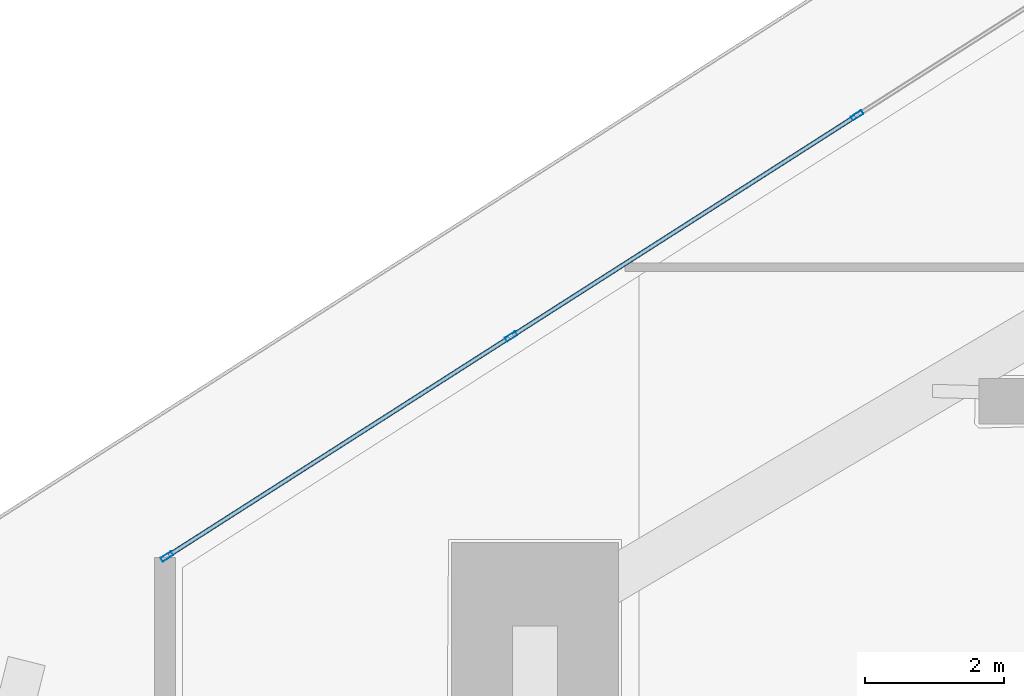
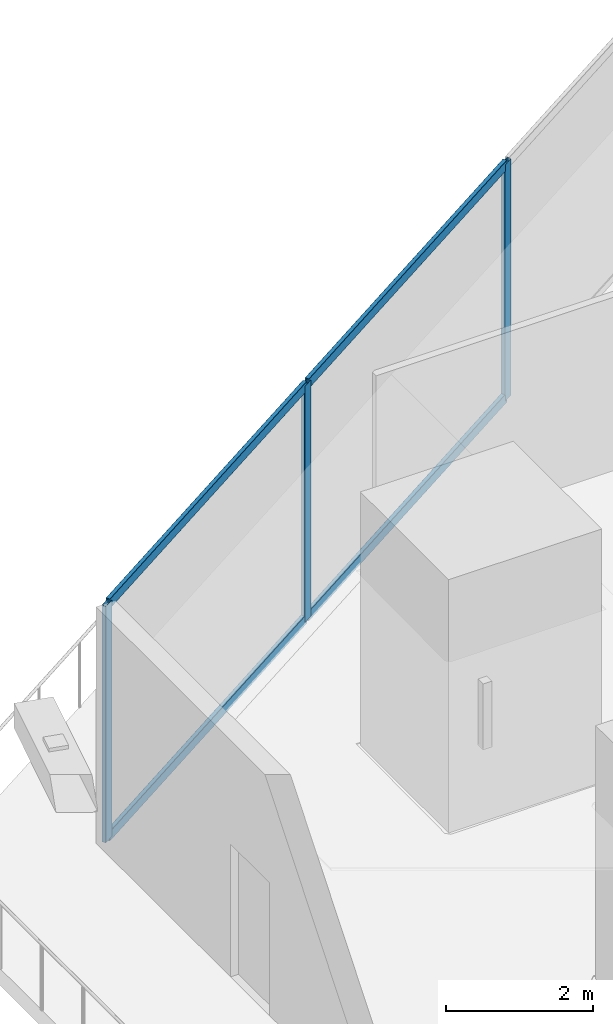
# One storey, part 12 of 44: 7 members, 1 element without a shape of its own.
"""IFC4 building model written with IfcOpenShell, lengths in metres."""

import ifcopenshell
import ifcopenshell.guid

model = None  # the IFC model being written
_history = None  # IfcOwnerHistory: only IFC2X3 demands one
_inside = {}  # id of a spatial element -> (the spatial element, [elements in it])
_under = {}  # id of a project, library or spatial element -> (it, [spatial elements below it])
_declared = {}  # id of a project -> (the project, [libraries it declares])
_typed = {}  # id of a type object -> (the type object, [elements of that type])
_made_of = {}  # id of a material, layer set ... -> (it, [elements and type objects made of it])


def new_model(schema):
    """Start an empty IFC model of exactly this schema.

    Asked for "IFC4X3", IfcOpenShell would pick the latest addendum, in which some entities
    have other attributes; the version numbers below select the first issue.
    IFC2X3 requires an IfcOwnerHistory on every rooted entity: one is made here for all.
    """
    global model, _history
    if schema == "IFC4X3":
        model = ifcopenshell.file(schema_version=(4, 3, 0, 0))
    else:
        model = ifcopenshell.file(schema=schema)
    _inside.clear()
    _under.clear()
    _declared.clear()
    _typed.clear()
    _made_of.clear()
    _history = None
    if model.schema == "IFC2X3":
        org = make("IfcOrganization", Name="unknown")
        user = make(
            "IfcPersonAndOrganization",
            ThePerson=make("IfcPerson", FamilyName="unknown"),
            TheOrganization=org,
        )
        app = make(
            "IfcApplication",
            ApplicationDeveloper=org,
            Version="unknown",
            ApplicationFullName="unknown",
            ApplicationIdentifier="unknown",
        )
        _history = make(
            "IfcOwnerHistory",
            OwningUser=user,
            OwningApplication=app,
            ChangeAction="ADDED",
            CreationDate=0,
        )
    return model


def make(cls, **values):
    """One entity of the class cls with the attributes given. An attribute that is None is left unset."""
    return model.create_entity(
        cls, **{name: value for name, value in values.items() if value is not None}
    )


def rooted(cls, **values):
    """An entity with a GlobalId (a new one), such as an element, a storey or a relation."""
    return make(cls, GlobalId=ifcopenshell.guid.new(), OwnerHistory=_history, **values)


def si_unit(unit_type, name, prefix=None):
    """IfcSIUnit, for example si_unit("LENGTHUNIT", "METRE", prefix="MILLI")."""
    return make("IfcSIUnit", UnitType=unit_type, Prefix=prefix, Name=name)


def assignment(units):
    """IfcUnitAssignment: the units of a project."""
    return None if units is None else make("IfcUnitAssignment", Units=units)


def point(xyz):
    """IfcCartesianPoint."""
    return None if xyz is None else make("IfcCartesianPoint", Coordinates=xyz)


def direction(xyz):
    """IfcDirection."""
    return None if xyz is None else make("IfcDirection", DirectionRatios=xyz)


def frame(location, z_axis=None, x_axis=None):
    """IfcAxis2Placement3D, a coordinate frame: its origin and axes. An axis left out is left unset."""
    return make(
        "IfcAxis2Placement3D",
        Location=point(location),
        Axis=direction(z_axis),
        RefDirection=direction(x_axis),
    )


def frame_2d(location, x_axis=None):
    """IfcAxis2Placement2D, a coordinate frame in the plane: its origin and x axis."""
    return make(
        "IfcAxis2Placement2D", Location=point(location), RefDirection=direction(x_axis)
    )


def origin():
    """The frame at (0, 0, 0) with its axes left unset."""
    return frame((0.0, 0.0, 0.0))


def origin_2d():
    """The frame at (0, 0) in the plane with its x axis left unset."""
    return frame_2d((0.0, 0.0))


def place(relative_to, where):
    """IfcLocalPlacement: puts the frame where relative to a parent placement (None: the world)."""
    return make(
        "IfcLocalPlacement", PlacementRelTo=relative_to, RelativePlacement=where
    )


def context(
    kind, dimensions, precision=None, world=None, true_north=None, identifier=None
):
    """IfcGeometricRepresentationContext, for example the 3D "Model" context."""
    return make(
        "IfcGeometricRepresentationContext",
        ContextIdentifier=identifier,
        ContextType=kind,
        CoordinateSpaceDimension=dimensions,
        Precision=precision,
        WorldCoordinateSystem=world,
        TrueNorth=true_north,
    )


def subcontext(parent, identifier, kind, view, scale=None):
    """IfcGeometricRepresentationSubContext, for example "Body" below "Model"."""
    return make(
        "IfcGeometricRepresentationSubContext",
        ContextIdentifier=identifier,
        ContextType=kind,
        ParentContext=parent,
        TargetScale=scale,
        TargetView=view,
    )


def project(units=None, contexts=None):
    """IfcProject with its units and contexts."""
    return rooted(
        "IfcProject",
        Name="project",
        RepresentationContexts=contexts,
        UnitsInContext=assignment(units),
    )


def spatial(cls, under=None, at=None, **own):
    """A site, building, storey or space (cls), placed at a placement, below another one or the project."""
    s = rooted(cls, ObjectPlacement=at, **own)
    if under is not None:
        _under.setdefault(under.id(), (under, []))[1].append(s)
    return s


def profile(cls, at=None, kind="AREA", **sizes):
    """A parametric profile (cls). Its sizes go by their IFC names, for example OverallWidth=200.0."""
    return make(cls, ProfileType=kind, Position=at, **sizes)


def hollow_rectangle(**sizes):
    """IfcRectangleHollowProfileDef."""
    return profile("IfcRectangleHollowProfileDef", **sizes)


def extrude(swept, where, along, depth):
    """IfcExtrudedAreaSolid: the profile swept, set in the frame where, extruded along a direction by depth."""
    return make(
        "IfcExtrudedAreaSolid",
        SweptArea=swept,
        Position=where,
        ExtrudedDirection=direction(along),
        Depth=depth,
    )


def shape(context_of_items, identifier, shape_type, items):
    """IfcShapeRepresentation: the items that make up one representation, for example the "Body"."""
    return make(
        "IfcShapeRepresentation",
        ContextOfItems=context_of_items,
        RepresentationIdentifier=identifier,
        RepresentationType=shape_type,
        Items=items,
    )


def material(Name=None, Category=None):
    """IfcMaterial."""
    return make("IfcMaterial", Name=Name, Category=Category)


def layer(
    of_material, thickness, ventilated=None, Name=None, Category=None, Priority=None
):
    """IfcMaterialLayer: one layer of a wall or slab, of a material (None: an air gap)."""
    return make(
        "IfcMaterialLayer",
        Material=of_material,
        LayerThickness=thickness,
        IsVentilated=ventilated,
        Name=Name,
        Category=Category,
        Priority=Priority,
    )


def layer_set(layers, Name=None):
    """IfcMaterialLayerSet."""
    return make("IfcMaterialLayerSet", MaterialLayers=layers, LayerSetName=Name)


def material_profile(
    of_material, cross_section, Name=None, Category=None, Priority=None
):
    """IfcMaterialProfile: a cross section and its material."""
    return make(
        "IfcMaterialProfile",
        Name=Name,
        Material=of_material,
        Profile=cross_section,
        Priority=Priority,
        Category=Category,
    )


def profile_set(profiles, Name=None, composite=None):
    """IfcMaterialProfileSet."""
    return make(
        "IfcMaterialProfileSet",
        Name=Name,
        MaterialProfiles=profiles,
        CompositeProfile=composite,
    )


def made_of(thing, what):
    """Note that an element or type object is made of a material, layer set ...; save() writes the relation."""
    if what is not None:
        _made_of.setdefault(what.id(), (what, []))[1].append(thing)
    return thing


def type_object(cls, material=None, **own):
    """A type object (cls), such as IfcWallType, which elements share."""
    return made_of(rooted(cls, **own), material)


def element(
    cls,
    number,
    at=None,
    inside=None,
    cuts=None,
    type_object=None,
    material=None,
    context=None,
    identifier="Body",
    shape_type=None,
    held_by="IfcProductDefinitionShape",
    body=None,
    shapes=None,
    **own,
):
    """One element of the class cls, such as IfcWall. Its Tag is "e" and its number.

    at: its placement. inside: the storey or other place that contains it. cuts: it is an
    opening in that element (IfcRelVoidsElement). A single representation is given by context,
    identifier, shape_type and body (its items); several are given by shapes. held_by: the class
    of the entity that holds the representations. save() writes the other relations.
    """
    e = rooted(cls, Tag="e%d" % number, ObjectPlacement=at, **own)
    if body is not None:
        shapes = [shape(context, identifier, shape_type, body)]
    if shapes is not None:
        e.Representation = make(held_by, Representations=shapes)
    if inside is not None:
        _inside.setdefault(inside.id(), (inside, []))[1].append(e)
    if cuts is not None:
        rooted(
            "IfcRelVoidsElement", RelatingBuildingElement=cuts, RelatedOpeningElement=e
        )
    if type_object is not None:
        _typed.setdefault(type_object.id(), (type_object, []))[1].append(e)
    return made_of(e, material)


def aggregate(whole, parts):
    """IfcRelAggregates: a whole, such as a stair, and the parts it consists of."""
    return rooted("IfcRelAggregates", RelatingObject=whole, RelatedObjects=parts)


def save(model, path):
    """Write the relations noted so far, then the file.

    IfcRelAggregates (storeys below a building ...), IfcRelContainedInSpatialStructure (elements
    in a storey), IfcRelDefinesByType, IfcRelAssociatesMaterial and IfcRelDeclares: one each for
    every whole, place, type object, material and project.
    """
    for whole, parts in _under.values():
        aggregate(whole, parts)
    for where, things in _inside.values():
        rooted(
            "IfcRelContainedInSpatialStructure",
            RelatedElements=things,
            RelatingStructure=where,
        )
    for kind, things in _typed.values():
        rooted("IfcRelDefinesByType", RelatedObjects=things, RelatingType=kind)
    for what, things in _made_of.values():
        rooted("IfcRelAssociatesMaterial", RelatedObjects=things, RelatingMaterial=what)
    for by, libraries in _declared.values():
        rooted("IfcRelDeclares", RelatingContext=by, RelatedDefinitions=libraries)
    model.write(path)


model = new_model("IFC4")

# Units and contexts
model_context = context("Model", 3, precision=1e-05, world=origin(), true_north=direction((0.0, 1.0)))
body_context = subcontext(model_context, "Body", "Model", "MODEL_VIEW")
ifc_project = project(units=[si_unit("LENGTHUNIT", "METRE"), si_unit("AREAUNIT", "SQUARE_METRE"), si_unit("VOLUMEUNIT", "CUBIC_METRE"), si_unit("PLANEANGLEUNIT", "RADIAN"), si_unit("MASSUNIT", "GRAM", prefix="KILO")], contexts=[model_context])

# Site, building, storey
site_placement = place(None, origin())
site = spatial("IfcSite", under=ifc_project, at=site_placement, CompositionType="ELEMENT")
building_placement = place(site_placement, origin())
building = spatial("IfcBuilding", under=site, at=building_placement, Name="Qorvath Tower", CompositionType="ELEMENT")
storey_placement = place(building_placement, frame((0.0, 0.0, 40.800048828125)))
storey = spatial("IfcBuildingStorey", under=building, at=storey_placement, Name="L08", CompositionType="ELEMENT", Elevation=40.800048828125)

# Curtain wall, members
ifc_material_1 = material(Name="Anodised aluminium and triple low-E glass", Category="aluminium")
ifc_layer = layer(ifc_material_1, 0.179931640625)
ifc_layer_set = layer_set([ifc_layer], Name="CW-SYS-2")
curtain_wall_type = type_object("IfcCurtainWallType", Name="CW-SYS-2", PredefinedType="NOTDEFINED", material=ifc_layer_set)
curtain_wall_placement = place(storey_placement, origin())
curtain_wall = element("IfcCurtainWall", 1, at=curtain_wall_placement, inside=storey, type_object=curtain_wall_type, Name="Curtain Wall CW-2 CW-T-L08-16.3", PredefinedType="NOTDEFINED")
ifc_material_2 = material(Name="Anodised aluminium 6063-T6", Category="aluminium")
ifc_material_profile_1 = material_profile(ifc_material_2, hollow_rectangle(XDim=0.06494140625, YDim=0.179931640625, WallThickness=0.00341796875, InnerFilletRadius=0.00341796875, OuterFilletRadius=0.007080078125, at=origin_2d()), Name="CWM 180x65")
ifc_profile_set_1 = profile_set([ifc_material_profile_1], Name="Anodised aluminium 6063-T6")
member_type_1 = type_object("IfcMemberType", Name="CWM-180", PredefinedType="MULLION", material=ifc_profile_set_1)
member_1_placement = place(storey_placement, frame((-50.65185546875, 10.534912109375, 0.0), z_axis=(0.0, 0.0, 1.0), x_axis=(0.538531853978, -0.842605152044, 0.0)))
member_1 = element("IfcMember", 2, at=member_1_placement, type_object=member_type_1, Name="CW-2 mullion 3", PredefinedType="MULLION", context=body_context, shape_type="SweptSolid", body=[
    extrude(hollow_rectangle(XDim=0.06494140625, YDim=0.179931640625, WallThickness=0.00341796875, InnerFilletRadius=0.00341796875, OuterFilletRadius=0.007080078125, at=origin_2d()), origin(), (0.0, 0.0, 1.0), 3.919921875),
])
member_2_placement = place(storey_placement, frame((-55.62646484375, 7.35546875, 0.0), z_axis=(0.0, 0.0, 1.0), x_axis=(0.538531853978, -0.842605152044, 0.0)))
member_2 = element("IfcMember", 3, at=member_2_placement, type_object=member_type_1, Name="CW-2 mullion 4", PredefinedType="MULLION", context=body_context, shape_type="SweptSolid", body=[
    extrude(hollow_rectangle(XDim=0.06494140625, YDim=0.179931640625, WallThickness=0.00341796875, InnerFilletRadius=0.00341796875, OuterFilletRadius=0.007080078125, at=origin_2d()), origin(), (0.0, 0.0, 1.0), 3.919921875),
])
member_3_placement = place(storey_placement, frame((-60.57373046875, 4.193603515625, 0.0), z_axis=(0.0, 0.0, 1.0), x_axis=(0.538531853978, -0.842605152044, 0.0)))
member_3 = element("IfcMember", 4, at=member_3_placement, type_object=member_type_1, Name="CW-2 mullion 5", PredefinedType="MULLION", context=body_context, shape_type="SweptSolid", body=[
    extrude(hollow_rectangle(XDim=0.06494140625, YDim=0.179931640625, WallThickness=0.00341796875, InnerFilletRadius=0.00341796875, OuterFilletRadius=0.007080078125, at=origin_2d()), origin(), (0.0, 0.0, 1.0), 3.919921875),
])
ifc_material_3 = material(Name="Anodised aluminium 6063-T6", Category="aluminium")
ifc_material_profile_2 = material_profile(ifc_material_3, hollow_rectangle(XDim=0.06494140625, YDim=0.159912109375, WallThickness=0.00341796875, InnerFilletRadius=0.00341796875, OuterFilletRadius=0.007080078125, at=origin_2d()), Name="CWT 160x65")
ifc_profile_set_2 = profile_set([ifc_material_profile_2], Name="Anodised aluminium 6063-T6")
member_type_2 = type_object("IfcMemberType", Name="CWT-160", PredefinedType="USERDEFINED", material=ifc_profile_set_2)
member_4_placement = place(storey_placement, frame((-50.67919921875, 10.517333984375, 0.032470703125), z_axis=(-0.842618260885, -0.538511342891, 0.0), x_axis=(0.538511342891, -0.842618260885, 0.0)))
member_4 = element("IfcMember", 5, at=member_4_placement, type_object=member_type_2, Name="CW-2 transom 3.1", ObjectType="TRANSOM", PredefinedType="USERDEFINED", context=body_context, shape_type="SweptSolid", body=[
    extrude(hollow_rectangle(XDim=0.06494140625, YDim=0.159912109375, WallThickness=0.00341796875, InnerFilletRadius=0.00341796875, OuterFilletRadius=0.007080078125, at=origin_2d()), origin(), (0.0, 0.0, 1.0), 5.8388671875),
])
member_5_placement = place(storey_placement, frame((-50.67919921875, 10.517333984375, 3.887451171875), z_axis=(-0.842618260885, -0.538511342891, 0.0), x_axis=(0.538511342891, -0.842618260885, 0.0)))
member_5 = element("IfcMember", 6, at=member_5_placement, type_object=member_type_2, Name="CW-2 transom 3.2", ObjectType="TRANSOM", PredefinedType="USERDEFINED", context=body_context, shape_type="SweptSolid", body=[
    extrude(hollow_rectangle(XDim=0.06494140625, YDim=0.159912109375, WallThickness=0.00341796875, InnerFilletRadius=0.00341796875, OuterFilletRadius=0.007080078125, at=origin_2d()), origin(), (0.0, 0.0, 1.0), 5.8388671875),
])
member_6_placement = place(storey_placement, frame((-55.65380859375, 7.337890625, 0.032470703125), z_axis=(-0.842607225398, -0.538528609925, 0.0), x_axis=(0.538528609925, -0.842607225398, 0.0)))
member_6 = element("IfcMember", 7, at=member_6_placement, type_object=member_type_2, Name="CW-2 transom 4.1", ObjectType="TRANSOM", PredefinedType="USERDEFINED", context=body_context, shape_type="SweptSolid", body=[
    extrude(hollow_rectangle(XDim=0.06494140625, YDim=0.159912109375, WallThickness=0.00341796875, InnerFilletRadius=0.00341796875, OuterFilletRadius=0.007080078125, at=origin_2d()), origin(), (0.0, 0.0, 1.0), 5.806396484375),
])
member_7_placement = place(storey_placement, frame((-55.65380859375, 7.337890625, 3.887451171875), z_axis=(-0.842607225398, -0.538528609925, 0.0), x_axis=(0.538528609925, -0.842607225398, 0.0)))
member_7 = element("IfcMember", 8, at=member_7_placement, type_object=member_type_2, Name="CW-2 transom 4.2", ObjectType="TRANSOM", PredefinedType="USERDEFINED", context=body_context, shape_type="SweptSolid", body=[
    extrude(hollow_rectangle(XDim=0.06494140625, YDim=0.159912109375, WallThickness=0.00341796875, InnerFilletRadius=0.00341796875, OuterFilletRadius=0.007080078125, at=origin_2d()), origin(), (0.0, 0.0, 1.0), 5.806396484375),
])
aggregate(curtain_wall, [member_1, member_2, member_3, member_4, member_5, member_6, member_7])

save(model, "model.ifc")
